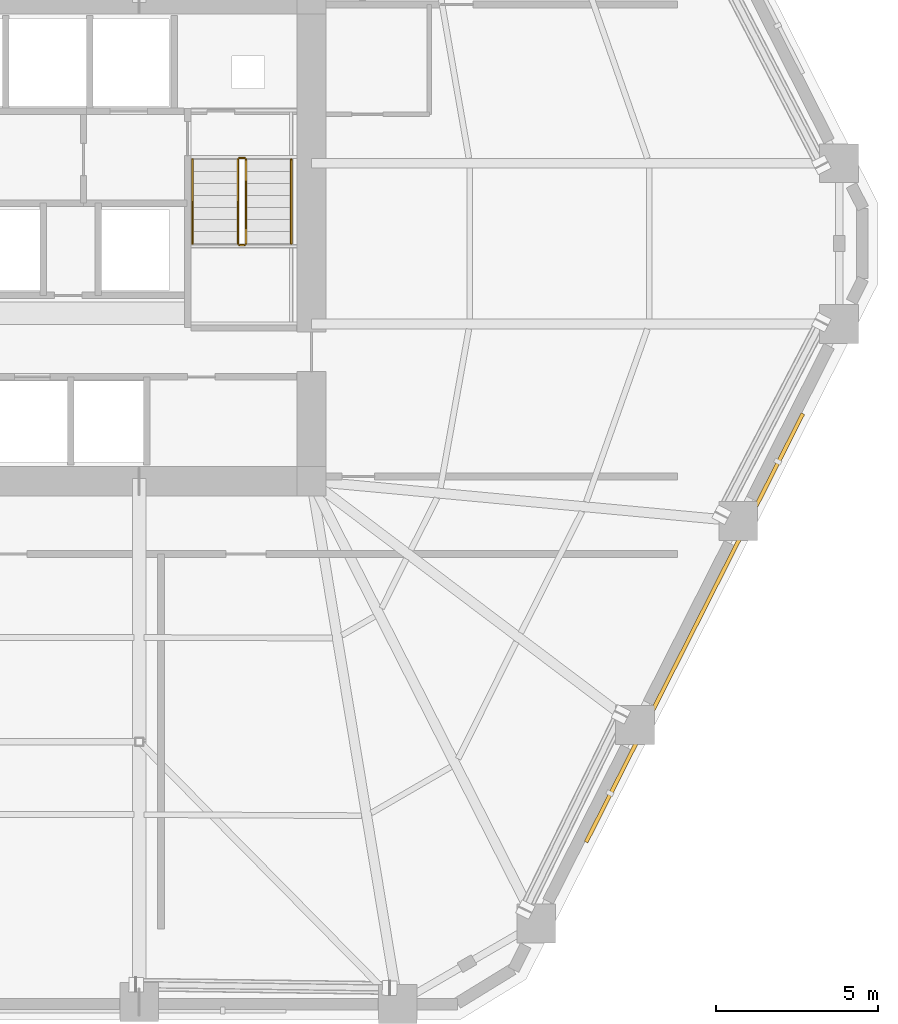
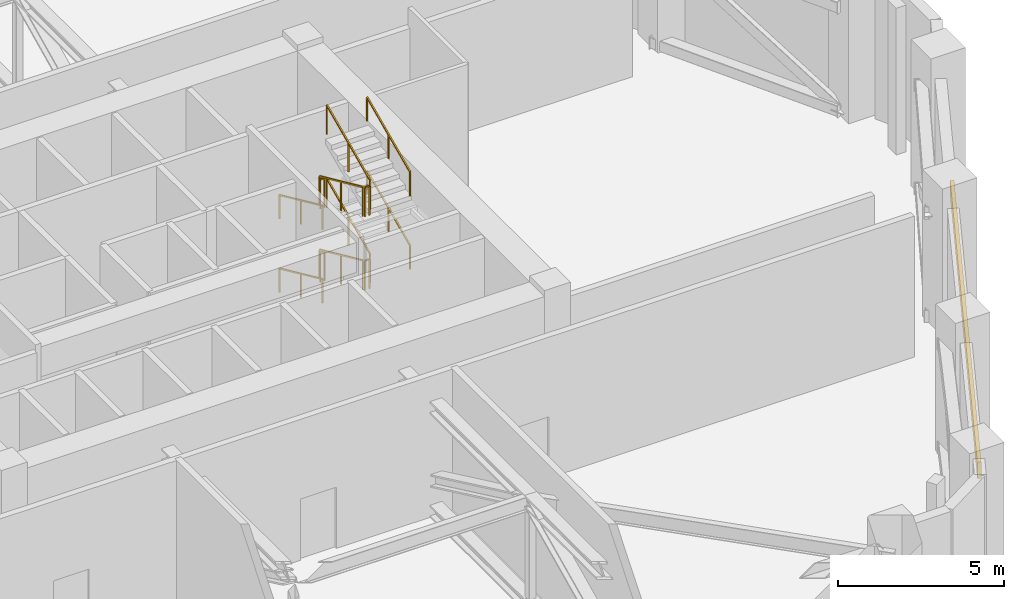
# One storey, part 18 of 19: 12 railings, 1 shading device.
"""IFC4 building model written with IfcOpenShell, lengths in metres."""

from ifc_helpers import new_model, si_unit, direction, frame, origin, origin_2d, place, context, subcontext, project, spatial, rectangle, extrude, material, layer, layer_set, type_object, element, save


model = new_model("IFC4")

# Units and contexts
model_context = context("Model", 3, precision=1e-05, world=origin(), true_north=direction((0.0, 1.0)))
body_context = subcontext(model_context, "Body", "Model", "MODEL_VIEW")
ifc_project = project(units=[si_unit("LENGTHUNIT", "METRE"), si_unit("AREAUNIT", "SQUARE_METRE"), si_unit("VOLUMEUNIT", "CUBIC_METRE"), si_unit("PLANEANGLEUNIT", "RADIAN"), si_unit("MASSUNIT", "GRAM", prefix="KILO")], contexts=[model_context])

# Site, building, storey
site_placement = place(None, origin())
site = spatial("IfcSite", under=ifc_project, at=site_placement, CompositionType="ELEMENT")
building_placement = place(site_placement, origin())
building = spatial("IfcBuilding", under=site, at=building_placement, Name="Cinnabar Lancet Tower", CompositionType="ELEMENT")
storey_placement = place(building_placement, frame((0.0, 0.0, 74.60009765625)))
storey = spatial("IfcBuildingStorey", under=building, at=storey_placement, Name="L19", CompositionType="ELEMENT", Elevation=74.60009765625)

# Shading device
ifc_material_1 = material(Name="Anodized acoustic plant weather louvre", Category="aluminium")
ifc_layer = layer(ifc_material_1, 0.094970703125)
ifc_layer_set = layer_set([ifc_layer], Name="Anodized acoustic plant weather louvre")
shading_device_type = type_object("IfcShadingDeviceType", Name="ENV-SHD-LVR-600", PredefinedType="JALOUSIE", material=ifc_layer_set)
shading_device_placement = place(storey_placement, frame((53.697021484375, 13.9189453125, 1.849853515625), z_axis=(0.0, 0.0, 1.0), x_axis=(0.451469426816, 0.892286588855, 0.0)))
element("IfcShadingDevice", 1, at=shading_device_placement, inside=storey, type_object=shading_device_type, Name="L19 Face 2 Acoustic Plant Weather Louvre", PredefinedType="JALOUSIE", context=body_context, shape_type="SweptSolid", body=[
    extrude(rectangle(XDim=14.846923828125, YDim=0.1201171875, at=origin_2d()), origin(), (0.0, 0.0, 1.0), 0.60009765625),
])

# Railings
ifc_material_2 = material(Name="Painted galvanized steel balustrade", Category="steel")
railing_type_1 = type_object("IfcRailingType", Name="GUARD-STAIR", PredefinedType="GUARDRAIL", material=ifc_material_2)
railing_1_placement = place(storey_placement, frame((39.574951171875, 28.39990234375, 0.168701171875)))
element("IfcRailing", 2, at=railing_1_placement, inside=storey, type_object=railing_type_1, Name="L19 ST-2 stair guard 1", PredefinedType="GUARDRAIL", context=body_context, shape_type="SweptSolid", body=[
    extrude(rectangle(XDim=0.048095703125, YDim=0.048095703125, at=origin_2d()), frame((0.0, 0.0, 1.076171875), z_axis=(0.0, -0.910430886142, 0.413661215923), x_axis=(1.0, 0.0, 0.0)), (0.0, 0.0, 1.0), 2.85546875),
    extrude(rectangle(XDim=0.0419921875, YDim=0.0419921875, at=origin_2d()), origin(), (0.0, 0.0, 1.0), 1.052001953125),
    extrude(rectangle(XDim=0.0419921875, YDim=0.0419921875, at=origin_2d()), frame((0.0, -1.2998046875, 0.590576171875)), (0.0, 0.0, 1.0), 1.052001953125),
    extrude(rectangle(XDim=0.0419921875, YDim=0.0419921875, at=origin_2d()), frame((0.0, -2.599609375, 1.18115234375)), (0.0, 0.0, 1.0), 1.052001953125),
])
railing_2_placement = place(storey_placement, frame((39.625, 25.750244140625, 1.349853515625)))
element("IfcRailing", 3, at=railing_2_placement, inside=storey, type_object=railing_type_1, Name="L19 ST-2 stair guard 2", PredefinedType="GUARDRAIL", context=body_context, shape_type="SweptSolid", body=[
    extrude(rectangle(XDim=0.048095703125, YDim=0.048095703125, at=origin_2d()), frame((0.0, 0.0, 1.076171875), z_axis=(1.0, 0.0, 0.0), x_axis=(0.0, 1.0, 0.0)), (0.0, 0.0, 1.0), 0.14990234375),
    extrude(rectangle(XDim=0.0419921875, YDim=0.0419921875, at=origin_2d()), origin(), (0.0, 0.0, 1.0), 1.052001953125),
    extrude(rectangle(XDim=0.0419921875, YDim=0.0419921875, at=origin_2d()), frame((0.14990234375, 0.0, 0.0)), (0.0, 0.0, 1.0), 1.052001953125),
])
railing_3_placement = place(storey_placement, frame((39.824951171875, 25.80029296875, 1.5185546875)))
element("IfcRailing", 4, at=railing_3_placement, inside=storey, type_object=railing_type_1, Name="L19 ST-2 stair guard 3", PredefinedType="GUARDRAIL", context=body_context, shape_type="SweptSolid", body=[
    extrude(rectangle(XDim=0.048095703125, YDim=0.048095703125, at=origin_2d()), frame((0.0, 0.0, 1.076171875), z_axis=(0.0, 0.910398683421, 0.413732083872), x_axis=(-1.0, 0.0, 0.0)), (0.0, 0.0, 1.0), 2.85546875),
    extrude(rectangle(XDim=0.0419921875, YDim=0.0419921875, at=origin_2d()), origin(), (0.0, 0.0, 1.0), 1.052001953125),
    extrude(rectangle(XDim=0.0419921875, YDim=0.0419921875, at=origin_2d()), frame((0.0, 1.2998046875, 0.5908203125)), (0.0, 0.0, 1.0), 1.052001953125),
    extrude(rectangle(XDim=0.0419921875, YDim=0.0419921875, at=origin_2d()), frame((0.0, 2.599609375, 1.181396484375)), (0.0, 0.0, 1.0), 1.052001953125),
])
railing_4_placement = place(storey_placement, frame((39.625, 28.449951171875, 2.699951171875)))
element("IfcRailing", 5, at=railing_4_placement, inside=storey, type_object=railing_type_1, Name="L19 ST-2 stair guard 4", PredefinedType="GUARDRAIL", context=body_context, shape_type="SweptSolid", body=[
    extrude(rectangle(XDim=0.048095703125, YDim=0.048095703125, at=origin_2d()), frame((0.0, 0.0, 1.076171875), z_axis=(1.0, 0.0, 0.0), x_axis=(0.0, 1.0, 0.0)), (0.0, 0.0, 1.0), 0.14990234375),
    extrude(rectangle(XDim=0.0419921875, YDim=0.0419921875, at=origin_2d()), origin(), (0.0, 0.0, 1.0), 1.052001953125),
    extrude(rectangle(XDim=0.0419921875, YDim=0.0419921875, at=origin_2d()), frame((0.14990234375, 0.0, 0.0)), (0.0, 0.0, 1.0), 1.052001953125),
])
railing_5_placement = place(storey_placement, frame((39.574951171875, 28.39990234375, 2.86865234375)))
element("IfcRailing", 6, at=railing_5_placement, inside=storey, type_object=railing_type_1, Name="L19 ST-2 stair guard 5", PredefinedType="GUARDRAIL", context=body_context, shape_type="SweptSolid", body=[
    extrude(rectangle(XDim=0.048095703125, YDim=0.048095703125, at=origin_2d()), frame((0.0, 0.0, 1.076171875), z_axis=(0.0, -0.910430886142, 0.413661215923), x_axis=(1.0, 0.0, 0.0)), (0.0, 0.0, 1.0), 2.85546875),
    extrude(rectangle(XDim=0.0419921875, YDim=0.0419921875, at=origin_2d()), origin(), (0.0, 0.0, 1.0), 1.052001953125),
    extrude(rectangle(XDim=0.0419921875, YDim=0.0419921875, at=origin_2d()), frame((0.0, -1.2998046875, 0.590576171875)), (0.0, 0.0, 1.0), 1.052001953125),
    extrude(rectangle(XDim=0.0419921875, YDim=0.0419921875, at=origin_2d()), frame((0.0, -2.599609375, 1.18115234375)), (0.0, 0.0, 1.0), 1.052001953125),
])
railing_6_placement = place(storey_placement, frame((39.625, 25.750244140625, 4.0498046875)))
element("IfcRailing", 7, at=railing_6_placement, inside=storey, type_object=railing_type_1, Name="L19 ST-2 stair guard 6", PredefinedType="GUARDRAIL", context=body_context, shape_type="SweptSolid", body=[
    extrude(rectangle(XDim=0.048095703125, YDim=0.048095703125, at=origin_2d()), frame((0.0, 0.0, 1.076171875), z_axis=(1.0, 0.0, 0.0), x_axis=(0.0, 1.0, 0.0)), (0.0, 0.0, 1.0), 0.14990234375),
    extrude(rectangle(XDim=0.0419921875, YDim=0.0419921875, at=origin_2d()), origin(), (0.0, 0.0, 1.0), 1.052001953125),
    extrude(rectangle(XDim=0.0419921875, YDim=0.0419921875, at=origin_2d()), frame((0.14990234375, 0.0, 0.0)), (0.0, 0.0, 1.0), 1.052001953125),
])
railing_7_placement = place(storey_placement, frame((39.824951171875, 25.80029296875, 4.21875)))
element("IfcRailing", 8, at=railing_7_placement, inside=storey, type_object=railing_type_1, Name="L19 ST-2 stair guard 7", PredefinedType="GUARDRAIL", context=body_context, shape_type="SweptSolid", body=[
    extrude(rectangle(XDim=0.048095703125, YDim=0.048095703125, at=origin_2d()), frame((0.0, 0.0, 1.076171875), z_axis=(0.0, 0.910430886142, 0.413661215923), x_axis=(-1.0, 0.0, 0.0)), (0.0, 0.0, 1.0), 2.85546875),
    extrude(rectangle(XDim=0.0419921875, YDim=0.0419921875, at=origin_2d()), origin(), (0.0, 0.0, 1.0), 1.052001953125),
    extrude(rectangle(XDim=0.0419921875, YDim=0.0419921875, at=origin_2d()), frame((0.0, 1.2998046875, 0.590576171875)), (0.0, 0.0, 1.0), 1.052001953125),
    extrude(rectangle(XDim=0.0419921875, YDim=0.0419921875, at=origin_2d()), frame((0.0, 2.599609375, 1.18115234375)), (0.0, 0.0, 1.0), 1.052001953125),
])
railing_8_placement = place(storey_placement, frame((39.625, 28.449951171875, 0.0)))
element("IfcRailing", 9, at=railing_8_placement, inside=storey, type_object=railing_type_1, Name="L19 ST-2 stair guard 8", PredefinedType="GUARDRAIL", context=body_context, shape_type="SweptSolid", body=[
    extrude(rectangle(XDim=0.048095703125, YDim=0.048095703125, at=origin_2d()), frame((0.0, 0.0, 1.076171875), z_axis=(1.0, 0.0, 0.0), x_axis=(0.0, 1.0, 0.0)), (0.0, 0.0, 1.0), 0.14990234375),
    extrude(rectangle(XDim=0.0419921875, YDim=0.0419921875, at=origin_2d()), origin(), (0.0, 0.0, 1.0), 1.052001953125),
    extrude(rectangle(XDim=0.0419921875, YDim=0.0419921875, at=origin_2d()), frame((0.14990234375, 0.0, 0.0)), (0.0, 0.0, 1.0), 1.052001953125),
])
ifc_material_3 = material(Name="Brushed stainless steel handrail", Category="steel")
railing_type_2 = type_object("IfcRailingType", Name="HANDRAIL-STAIR", PredefinedType="HANDRAIL", material=ifc_material_3)
railing_9_placement = place(storey_placement, frame((38.175048828125, 28.39990234375, 0.168701171875)))
element("IfcRailing", 10, at=railing_9_placement, inside=storey, type_object=railing_type_2, Name="L19 ST-2 stair handrail 1", PredefinedType="HANDRAIL", context=body_context, shape_type="SweptSolid", body=[
    extrude(rectangle(XDim=0.048095703125, YDim=0.048095703125, at=origin_2d()), frame((0.0, 0.0, 0.8759765625), z_axis=(0.0, -0.910430886142, 0.413661215923), x_axis=(1.0, 0.0, 0.0)), (0.0, 0.0, 1.0), 2.85546875),
    extrude(rectangle(XDim=0.0419921875, YDim=0.0419921875, at=origin_2d()), origin(), (0.0, 0.0, 1.0), 0.851806640625),
    extrude(rectangle(XDim=0.0419921875, YDim=0.0419921875, at=origin_2d()), frame((0.0, -1.2998046875, 0.590576171875)), (0.0, 0.0, 1.0), 0.851806640625),
    extrude(rectangle(XDim=0.0419921875, YDim=0.0419921875, at=origin_2d()), frame((0.0, -2.599609375, 1.18115234375)), (0.0, 0.0, 1.0), 0.851806640625),
])
railing_10_placement = place(storey_placement, frame((41.22509765625, 25.80029296875, 1.5185546875)))
element("IfcRailing", 11, at=railing_10_placement, inside=storey, type_object=railing_type_2, Name="L19 ST-2 stair handrail 2", PredefinedType="HANDRAIL", context=body_context, shape_type="SweptSolid", body=[
    extrude(rectangle(XDim=0.048095703125, YDim=0.048095703125, at=origin_2d()), frame((0.0, 0.0, 0.8759765625), z_axis=(0.0, 0.910398683421, 0.413732083872), x_axis=(-1.0, 0.0, 0.0)), (0.0, 0.0, 1.0), 2.85546875),
    extrude(rectangle(XDim=0.0419921875, YDim=0.0419921875, at=origin_2d()), origin(), (0.0, 0.0, 1.0), 0.851806640625),
    extrude(rectangle(XDim=0.0419921875, YDim=0.0419921875, at=origin_2d()), frame((0.0, 1.2998046875, 0.5908203125)), (0.0, 0.0, 1.0), 0.851806640625),
    extrude(rectangle(XDim=0.0419921875, YDim=0.0419921875, at=origin_2d()), frame((0.0, 2.599609375, 1.181396484375)), (0.0, 0.0, 1.0), 0.851806640625),
])
railing_11_placement = place(storey_placement, frame((38.175048828125, 28.39990234375, 2.86865234375)))
element("IfcRailing", 12, at=railing_11_placement, inside=storey, type_object=railing_type_2, Name="L19 ST-2 stair handrail 3", PredefinedType="HANDRAIL", context=body_context, shape_type="SweptSolid", body=[
    extrude(rectangle(XDim=0.048095703125, YDim=0.048095703125, at=origin_2d()), frame((0.0, 0.0, 0.8759765625), z_axis=(0.0, -0.910430886142, 0.413661215923), x_axis=(1.0, 0.0, 0.0)), (0.0, 0.0, 1.0), 2.85546875),
    extrude(rectangle(XDim=0.0419921875, YDim=0.0419921875, at=origin_2d()), origin(), (0.0, 0.0, 1.0), 0.851806640625),
    extrude(rectangle(XDim=0.0419921875, YDim=0.0419921875, at=origin_2d()), frame((0.0, -1.2998046875, 0.590576171875)), (0.0, 0.0, 1.0), 0.851806640625),
    extrude(rectangle(XDim=0.0419921875, YDim=0.0419921875, at=origin_2d()), frame((0.0, -2.599609375, 1.18115234375)), (0.0, 0.0, 1.0), 0.851806640625),
])
railing_12_placement = place(storey_placement, frame((41.22509765625, 25.80029296875, 4.21875)))
element("IfcRailing", 13, at=railing_12_placement, inside=storey, type_object=railing_type_2, Name="L19 ST-2 stair handrail 4", PredefinedType="HANDRAIL", context=body_context, shape_type="SweptSolid", body=[
    extrude(rectangle(XDim=0.048095703125, YDim=0.048095703125, at=origin_2d()), frame((0.0, 0.0, 0.8759765625), z_axis=(0.0, 0.910430886142, 0.413661215923), x_axis=(-1.0, 0.0, 0.0)), (0.0, 0.0, 1.0), 2.85546875),
    extrude(rectangle(XDim=0.0419921875, YDim=0.0419921875, at=origin_2d()), origin(), (0.0, 0.0, 1.0), 0.851806640625),
    extrude(rectangle(XDim=0.0419921875, YDim=0.0419921875, at=origin_2d()), frame((0.0, 1.2998046875, 0.590576171875)), (0.0, 0.0, 1.0), 0.851806640625),
    extrude(rectangle(XDim=0.0419921875, YDim=0.0419921875, at=origin_2d()), frame((0.0, 2.599609375, 1.18115234375)), (0.0, 0.0, 1.0), 0.851806640625),
])

save(model, "model.ifc")
